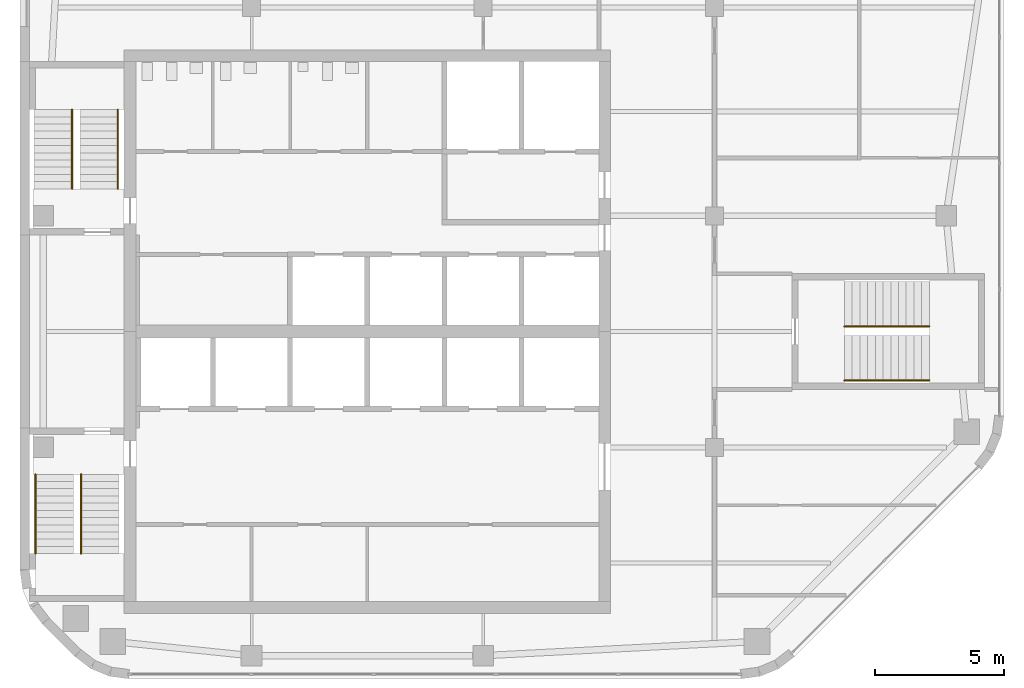
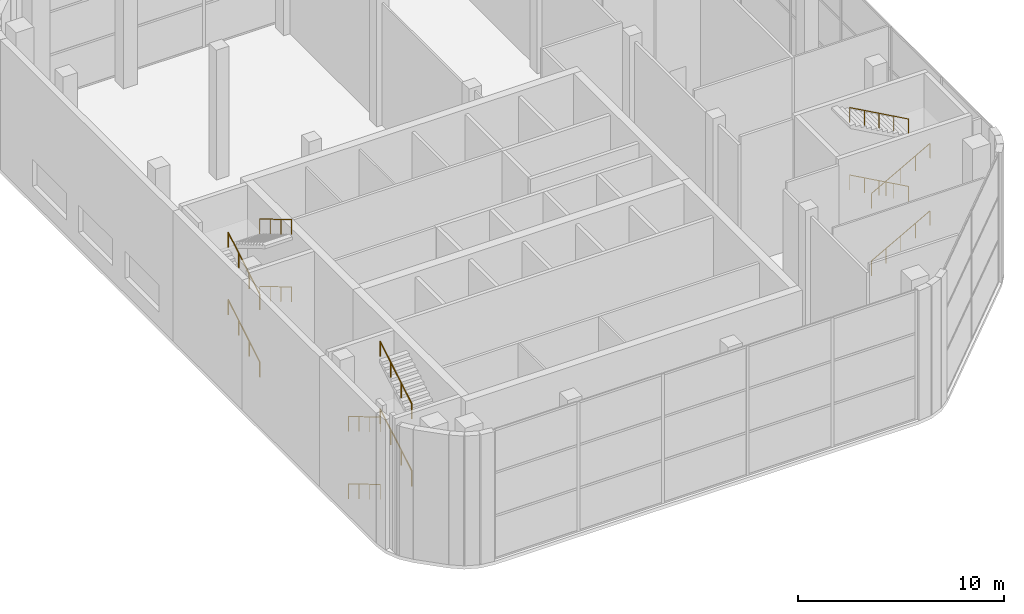
# One storey, part 11 of 12: 12 railings, 3 elements without a shape of their own.
"""IFC4 building model written with IfcOpenShell, lengths in metres."""

from ifc_helpers import new_model, si_unit, direction, frame, origin, origin_2d, place, context, subcontext, project, spatial, circle, extrude, material, type_object, element, aggregate, save


model = new_model("IFC4")

# Units and contexts
model_context = context("Model", 3, precision=1e-05, world=origin(), true_north=direction((0.0, 1.0)))
body_context = subcontext(model_context, "Body", "Model", "MODEL_VIEW")
ifc_project = project(units=[si_unit("LENGTHUNIT", "METRE"), si_unit("AREAUNIT", "SQUARE_METRE"), si_unit("VOLUMEUNIT", "CUBIC_METRE"), si_unit("PLANEANGLEUNIT", "RADIAN"), si_unit("MASSUNIT", "GRAM", prefix="KILO")], contexts=[model_context])

# Site, building, storey
site_placement = place(None, origin())
site = spatial("IfcSite", under=ifc_project, at=site_placement, CompositionType="ELEMENT")
building_placement = place(site_placement, origin())
building = spatial("IfcBuilding", under=site, at=building_placement, Name="Cinnabar Reach Civic Tower", CompositionType="ELEMENT")
storey_placement = place(building_placement, frame((0.0, 0.0, 283.0)))
storey = spatial("IfcBuildingStorey", under=building, at=storey_placement, Name="L68", CompositionType="ELEMENT", Elevation=283.0)

# Stair, railings
ifc_material_1 = material(Name="Concrete C40/50", Category="concrete")
stair_type = type_object("IfcStairType", Name="T1 Exit stair, double return", PredefinedType="DOUBLE_RETURN_STAIR", material=ifc_material_1)
stair_1_placement = place(storey_placement, origin())
stair_1 = element("IfcStair", 1, at=stair_1_placement, inside=storey, type_object=stair_type, Name="Stair T1-S1", PredefinedType="DOUBLE_RETURN_STAIR")
ifc_material_2 = material(Name="Stainless steel tube", Category="steel")
railing_type = type_object("IfcRailingType", Name="T1 Stair handrail, stainless tube 48", PredefinedType="HANDRAIL", material=ifc_material_2)
railing_1_placement = place(storey_placement, frame((0.6, 25.95, 0.1667)))
railing_1 = element("IfcRailing", 2, at=railing_1_placement, type_object=railing_type, Name="T1-S1 handrail 1", PredefinedType="HANDRAIL", context=body_context, shape_type="SweptSolid", body=[
    extrude(circle(Radius=0.024, at=origin_2d()), frame((0.0, 0.0, 0.876), z_axis=(0.0, -0.859296971757, 0.511476992962), x_axis=(1.0, 0.0, 0.0)), (0.0, 0.0, 1.0), 3.5843),
    extrude(circle(Radius=0.021, at=origin_2d()), origin(), (0.0, 0.0, 1.0), 0.852),
    extrude(circle(Radius=0.021, at=origin_2d()), frame((0.0, -1.0267, 0.6111)), (0.0, 0.0, 1.0), 0.852),
    extrude(circle(Radius=0.021, at=origin_2d()), frame((0.0, -2.0533, 1.2222)), (0.0, 0.0, 1.0), 0.852),
    extrude(circle(Radius=0.021, at=origin_2d()), frame((0.0, -3.08, 1.8333)), (0.0, 0.0, 1.0), 0.852),
])
railing_2_placement = place(storey_placement, frame((2.375, 22.87, 2.1667)))
railing_2 = element("IfcRailing", 3, at=railing_2_placement, type_object=railing_type, Name="T1-S1 handrail 2", PredefinedType="HANDRAIL", context=body_context, shape_type="SweptSolid", body=[
    extrude(circle(Radius=0.024, at=origin_2d()), frame((0.0, 0.0, 0.876), z_axis=(0.0, 0.859296971757, 0.511476992962), x_axis=(-1.0, 0.0, 0.0)), (0.0, 0.0, 1.0), 3.5843),
    extrude(circle(Radius=0.021, at=origin_2d()), origin(), (0.0, 0.0, 1.0), 0.852),
    extrude(circle(Radius=0.021, at=origin_2d()), frame((0.0, 1.0267, 0.6111)), (0.0, 0.0, 1.0), 0.852),
    extrude(circle(Radius=0.021, at=origin_2d()), frame((0.0, 2.0533, 1.2222)), (0.0, 0.0, 1.0), 0.852),
    extrude(circle(Radius=0.021, at=origin_2d()), frame((0.0, 3.08, 1.8333)), (0.0, 0.0, 1.0), 0.852),
])
railing_3_placement = place(storey_placement, frame((0.6, 25.95, 4.1667)))
railing_3 = element("IfcRailing", 4, at=railing_3_placement, type_object=railing_type, Name="T1-S1 handrail 3", PredefinedType="HANDRAIL", context=body_context, shape_type="SweptSolid", body=[
    extrude(circle(Radius=0.024, at=origin_2d()), frame((0.0, 0.0, 0.876), z_axis=(0.0, -0.859296971757, 0.511476992962), x_axis=(1.0, 0.0, 0.0)), (0.0, 0.0, 1.0), 3.5843),
    extrude(circle(Radius=0.021, at=origin_2d()), origin(), (0.0, 0.0, 1.0), 0.852),
    extrude(circle(Radius=0.021, at=origin_2d()), frame((0.0, -1.0267, 0.6111)), (0.0, 0.0, 1.0), 0.852),
    extrude(circle(Radius=0.021, at=origin_2d()), frame((0.0, -2.0533, 1.2222)), (0.0, 0.0, 1.0), 0.852),
    extrude(circle(Radius=0.021, at=origin_2d()), frame((0.0, -3.08, 1.8333)), (0.0, 0.0, 1.0), 0.852),
])
railing_4_placement = place(storey_placement, frame((2.375, 22.87, 6.1667)))
railing_4 = element("IfcRailing", 5, at=railing_4_placement, type_object=railing_type, Name="T1-S1 handrail 4", PredefinedType="HANDRAIL", context=body_context, shape_type="SweptSolid", body=[
    extrude(circle(Radius=0.024, at=origin_2d()), frame((0.0, 0.0, 0.876), z_axis=(0.0, 0.859296971757, 0.511476992962), x_axis=(-1.0, 0.0, 0.0)), (0.0, 0.0, 1.0), 3.5843),
    extrude(circle(Radius=0.021, at=origin_2d()), origin(), (0.0, 0.0, 1.0), 0.852),
    extrude(circle(Radius=0.021, at=origin_2d()), frame((0.0, 1.0267, 0.6111)), (0.0, 0.0, 1.0), 0.852),
    extrude(circle(Radius=0.021, at=origin_2d()), frame((0.0, 2.0533, 1.2222)), (0.0, 0.0, 1.0), 0.852),
    extrude(circle(Radius=0.021, at=origin_2d()), frame((0.0, 3.08, 1.8333)), (0.0, 0.0, 1.0), 0.852),
])
aggregate(stair_1, [railing_1, railing_2, railing_3, railing_4])

stair_2_placement = place(storey_placement, origin())
stair_2 = element("IfcStair", 6, at=stair_2_placement, inside=storey, type_object=stair_type, Name="Stair T1-S2", PredefinedType="DOUBLE_RETURN_STAIR")
railing_5_placement = place(storey_placement, frame((2.025, 37.05, 0.1667)))
railing_5 = element("IfcRailing", 7, at=railing_5_placement, type_object=railing_type, Name="T1-S2 handrail 1", PredefinedType="HANDRAIL", context=body_context, shape_type="SweptSolid", body=[
    extrude(circle(Radius=0.024, at=origin_2d()), frame((0.0, 0.0, 0.876), z_axis=(0.0, 0.859296971757, 0.511476992962), x_axis=(-1.0, 0.0, 0.0)), (0.0, 0.0, 1.0), 3.5843),
    extrude(circle(Radius=0.021, at=origin_2d()), origin(), (0.0, 0.0, 1.0), 0.852),
    extrude(circle(Radius=0.021, at=origin_2d()), frame((0.0, 1.0267, 0.6111)), (0.0, 0.0, 1.0), 0.852),
    extrude(circle(Radius=0.021, at=origin_2d()), frame((0.0, 2.0533, 1.2222)), (0.0, 0.0, 1.0), 0.852),
    extrude(circle(Radius=0.021, at=origin_2d()), frame((0.0, 3.08, 1.8333)), (0.0, 0.0, 1.0), 0.852),
])
railing_6_placement = place(storey_placement, frame((3.8, 40.13, 2.1667)))
railing_6 = element("IfcRailing", 8, at=railing_6_placement, type_object=railing_type, Name="T1-S2 handrail 2", PredefinedType="HANDRAIL", context=body_context, shape_type="SweptSolid", body=[
    extrude(circle(Radius=0.024, at=origin_2d()), frame((0.0, 0.0, 0.876), z_axis=(0.0, -0.859296971757, 0.511476992962), x_axis=(1.0, 0.0, 0.0)), (0.0, 0.0, 1.0), 3.5843),
    extrude(circle(Radius=0.021, at=origin_2d()), origin(), (0.0, 0.0, 1.0), 0.852),
    extrude(circle(Radius=0.021, at=origin_2d()), frame((0.0, -1.0267, 0.6111)), (0.0, 0.0, 1.0), 0.852),
    extrude(circle(Radius=0.021, at=origin_2d()), frame((0.0, -2.0533, 1.2222)), (0.0, 0.0, 1.0), 0.852),
    extrude(circle(Radius=0.021, at=origin_2d()), frame((0.0, -3.08, 1.8333)), (0.0, 0.0, 1.0), 0.852),
])
railing_7_placement = place(storey_placement, frame((2.025, 37.05, 4.1667)))
railing_7 = element("IfcRailing", 9, at=railing_7_placement, type_object=railing_type, Name="T1-S2 handrail 3", PredefinedType="HANDRAIL", context=body_context, shape_type="SweptSolid", body=[
    extrude(circle(Radius=0.024, at=origin_2d()), frame((0.0, 0.0, 0.876), z_axis=(0.0, 0.859296971757, 0.511476992962), x_axis=(-1.0, 0.0, 0.0)), (0.0, 0.0, 1.0), 3.5843),
    extrude(circle(Radius=0.021, at=origin_2d()), origin(), (0.0, 0.0, 1.0), 0.852),
    extrude(circle(Radius=0.021, at=origin_2d()), frame((0.0, 1.0267, 0.6111)), (0.0, 0.0, 1.0), 0.852),
    extrude(circle(Radius=0.021, at=origin_2d()), frame((0.0, 2.0533, 1.2222)), (0.0, 0.0, 1.0), 0.852),
    extrude(circle(Radius=0.021, at=origin_2d()), frame((0.0, 3.08, 1.8333)), (0.0, 0.0, 1.0), 0.852),
])
railing_8_placement = place(storey_placement, frame((3.8, 40.13, 6.1667)))
railing_8 = element("IfcRailing", 10, at=railing_8_placement, type_object=railing_type, Name="T1-S2 handrail 4", PredefinedType="HANDRAIL", context=body_context, shape_type="SweptSolid", body=[
    extrude(circle(Radius=0.024, at=origin_2d()), frame((0.0, 0.0, 0.876), z_axis=(0.0, -0.859296971757, 0.511476992962), x_axis=(1.0, 0.0, 0.0)), (0.0, 0.0, 1.0), 3.5843),
    extrude(circle(Radius=0.021, at=origin_2d()), origin(), (0.0, 0.0, 1.0), 0.852),
    extrude(circle(Radius=0.021, at=origin_2d()), frame((0.0, -1.0267, 0.6111)), (0.0, 0.0, 1.0), 0.852),
    extrude(circle(Radius=0.021, at=origin_2d()), frame((0.0, -2.0533, 1.2222)), (0.0, 0.0, 1.0), 0.852),
    extrude(circle(Radius=0.021, at=origin_2d()), frame((0.0, -3.08, 1.8333)), (0.0, 0.0, 1.0), 0.852),
])
aggregate(stair_2, [railing_5, railing_6, railing_7, railing_8])

stair_3_placement = place(storey_placement, origin())
stair_3 = element("IfcStair", 11, at=stair_3_placement, inside=storey, type_object=stair_type, Name="Stair T1-S3", PredefinedType="DOUBLE_RETURN_STAIR")
railing_9_placement = place(storey_placement, frame((32.05, 29.6, 0.1667)))
railing_9 = element("IfcRailing", 12, at=railing_9_placement, type_object=railing_type, Name="T1-S3 handrail 1", PredefinedType="HANDRAIL", context=body_context, shape_type="SweptSolid", body=[
    extrude(circle(Radius=0.024, at=origin_2d()), frame((0.0, 0.0, 0.876), z_axis=(0.874161024642, 0.0, 0.485636183781), x_axis=(0.0, 1.0, 0.0)), (0.0, 0.0, 1.0), 3.775),
    extrude(circle(Radius=0.021, at=origin_2d()), origin(), (0.0, 0.0, 1.0), 0.852),
    extrude(circle(Radius=0.021, at=origin_2d()), frame((0.825, 0.0, 0.4583)), (0.0, 0.0, 1.0), 0.852),
    extrude(circle(Radius=0.021, at=origin_2d()), frame((1.65, 0.0, 0.9167)), (0.0, 0.0, 1.0), 0.852),
    extrude(circle(Radius=0.021, at=origin_2d()), frame((2.475, 0.0, 1.375)), (0.0, 0.0, 1.0), 0.852),
    extrude(circle(Radius=0.021, at=origin_2d()), frame((3.3, 0.0, 1.8333)), (0.0, 0.0, 1.0), 0.852),
])
railing_10_placement = place(storey_placement, frame((35.35, 31.7, 2.1667)))
railing_10 = element("IfcRailing", 13, at=railing_10_placement, type_object=railing_type, Name="T1-S3 handrail 2", PredefinedType="HANDRAIL", context=body_context, shape_type="SweptSolid", body=[
    extrude(circle(Radius=0.024, at=origin_2d()), frame((0.0, 0.0, 0.876), z_axis=(-0.874161024642, 0.0, 0.485636183781), x_axis=(0.0, -1.0, 0.0)), (0.0, 0.0, 1.0), 3.775),
    extrude(circle(Radius=0.021, at=origin_2d()), origin(), (0.0, 0.0, 1.0), 0.852),
    extrude(circle(Radius=0.021, at=origin_2d()), frame((-0.825, 0.0, 0.4583)), (0.0, 0.0, 1.0), 0.852),
    extrude(circle(Radius=0.021, at=origin_2d()), frame((-1.65, 0.0, 0.9167)), (0.0, 0.0, 1.0), 0.852),
    extrude(circle(Radius=0.021, at=origin_2d()), frame((-2.475, 0.0, 1.375)), (0.0, 0.0, 1.0), 0.852),
    extrude(circle(Radius=0.021, at=origin_2d()), frame((-3.3, 0.0, 1.8333)), (0.0, 0.0, 1.0), 0.852),
])
railing_11_placement = place(storey_placement, frame((32.05, 29.6, 4.1667)))
railing_11 = element("IfcRailing", 14, at=railing_11_placement, type_object=railing_type, Name="T1-S3 handrail 3", PredefinedType="HANDRAIL", context=body_context, shape_type="SweptSolid", body=[
    extrude(circle(Radius=0.024, at=origin_2d()), frame((0.0, 0.0, 0.876), z_axis=(0.874161024642, 0.0, 0.485636183781), x_axis=(0.0, 1.0, 0.0)), (0.0, 0.0, 1.0), 3.775),
    extrude(circle(Radius=0.021, at=origin_2d()), origin(), (0.0, 0.0, 1.0), 0.852),
    extrude(circle(Radius=0.021, at=origin_2d()), frame((0.825, 0.0, 0.4583)), (0.0, 0.0, 1.0), 0.852),
    extrude(circle(Radius=0.021, at=origin_2d()), frame((1.65, 0.0, 0.9167)), (0.0, 0.0, 1.0), 0.852),
    extrude(circle(Radius=0.021, at=origin_2d()), frame((2.475, 0.0, 1.375)), (0.0, 0.0, 1.0), 0.852),
    extrude(circle(Radius=0.021, at=origin_2d()), frame((3.3, 0.0, 1.8333)), (0.0, 0.0, 1.0), 0.852),
])
railing_12_placement = place(storey_placement, frame((35.35, 31.7, 6.1667)))
railing_12 = element("IfcRailing", 15, at=railing_12_placement, type_object=railing_type, Name="T1-S3 handrail 4", PredefinedType="HANDRAIL", context=body_context, shape_type="SweptSolid", body=[
    extrude(circle(Radius=0.024, at=origin_2d()), frame((0.0, 0.0, 0.876), z_axis=(-0.874161024642, 0.0, 0.485636183781), x_axis=(0.0, -1.0, 0.0)), (0.0, 0.0, 1.0), 3.775),
    extrude(circle(Radius=0.021, at=origin_2d()), origin(), (0.0, 0.0, 1.0), 0.852),
    extrude(circle(Radius=0.021, at=origin_2d()), frame((-0.825, 0.0, 0.4583)), (0.0, 0.0, 1.0), 0.852),
    extrude(circle(Radius=0.021, at=origin_2d()), frame((-1.65, 0.0, 0.9167)), (0.0, 0.0, 1.0), 0.852),
    extrude(circle(Radius=0.021, at=origin_2d()), frame((-2.475, 0.0, 1.375)), (0.0, 0.0, 1.0), 0.852),
    extrude(circle(Radius=0.021, at=origin_2d()), frame((-3.3, 0.0, 1.8333)), (0.0, 0.0, 1.0), 0.852),
])
aggregate(stair_3, [railing_9, railing_10, railing_11, railing_12])

save(model, "model.ifc")
